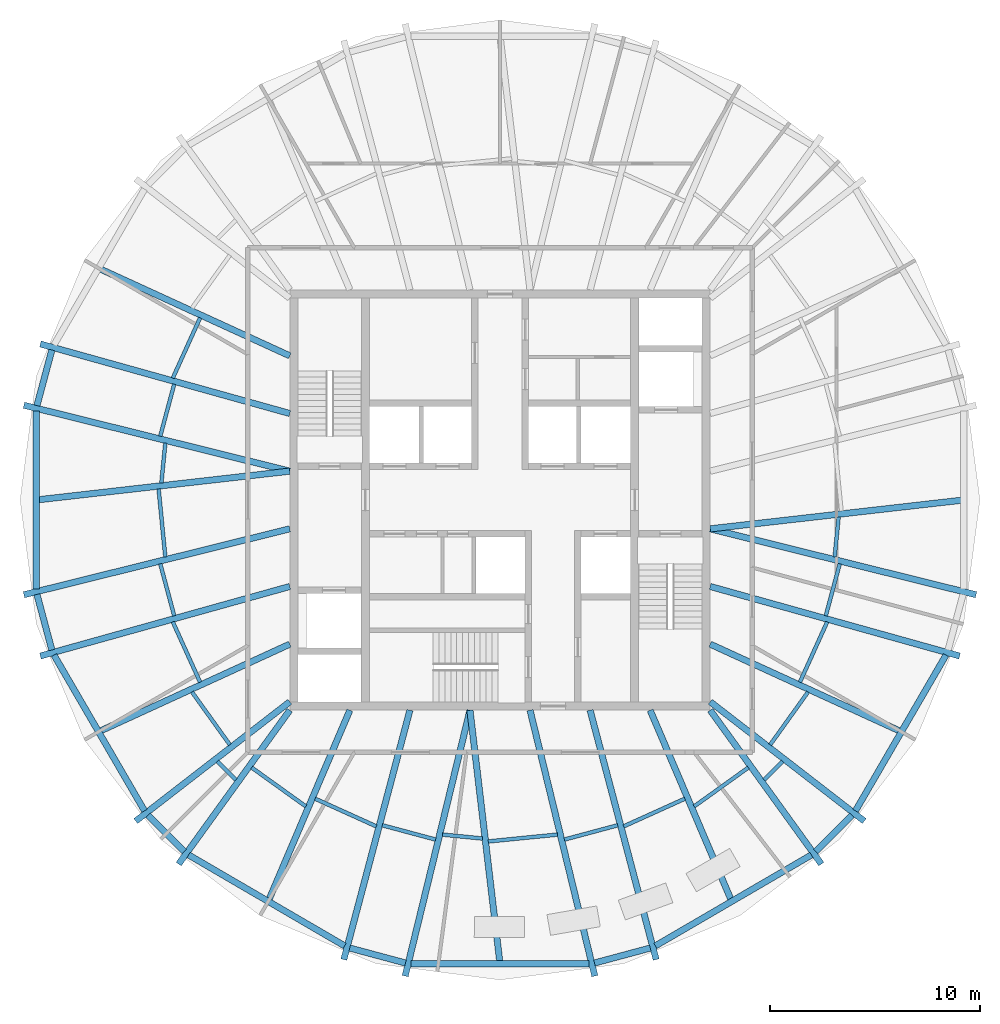
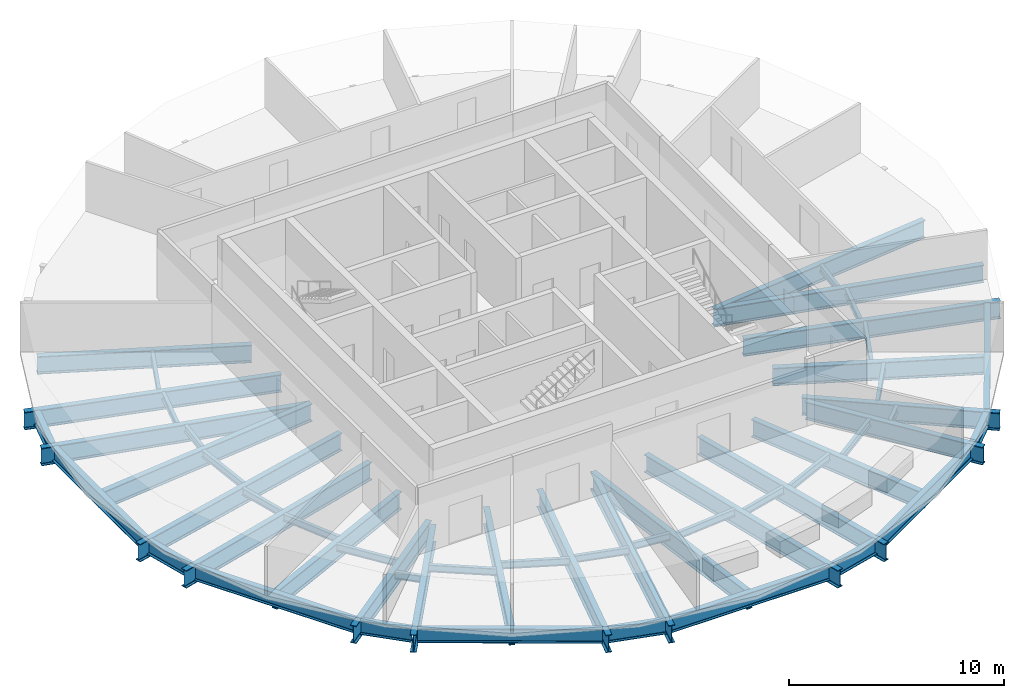
# One storey, part 1 of 7: 55 beams.
"""IFC4 building model written with IfcOpenShell, lengths in metres."""

from ifc_helpers import new_model, si_unit, direction, frame, origin, origin_2d, place, context, subcontext, project, spatial, i_section, extrude, material, material_profile, profile_set, type_object, element, save


model = new_model("IFC4")

# Units and contexts
model_context = context("Model", 3, precision=1e-05, world=origin(), true_north=direction((0.0, 1.0)))
body_context = subcontext(model_context, "Body", "Model", "MODEL_VIEW")
ifc_project = project(units=[si_unit("LENGTHUNIT", "METRE"), si_unit("AREAUNIT", "SQUARE_METRE"), si_unit("VOLUMEUNIT", "CUBIC_METRE"), si_unit("PLANEANGLEUNIT", "RADIAN"), si_unit("MASSUNIT", "GRAM", prefix="KILO")], contexts=[model_context])

# Site, building, storey
site_placement = place(None, origin())
site = spatial("IfcSite", under=ifc_project, at=site_placement, CompositionType="ELEMENT")
building_placement = place(site_placement, origin())
building = spatial("IfcBuilding", under=site, at=building_placement, Name="Golbaran Civic Tower", CompositionType="ELEMENT")
storey_placement = place(building_placement, frame((0.0, 0.0, 236.0)))
storey = spatial("IfcBuildingStorey", under=building, at=storey_placement, Name="L57", CompositionType="ELEMENT", Elevation=236.0)

# Beams
ifc_material = material(Name="Steel S355", Category="steel")
ifc_material_profile_1 = material_profile(ifc_material, i_section(OverallWidth=0.300048828125, OverallDepth=0.800048828125, WebThickness=0.017578125, FlangeThickness=0.032958984375, FilletRadius=0.030029296875, at=origin_2d()), Name="HEB 800")
ifc_profile_set_1 = profile_set([ifc_material_profile_1], Name="Steel S355")
beam_type_1 = type_object("IfcBeamType", Name="EDGE BEAM HEB 800", PredefinedType="BEAM", material=ifc_profile_set_1)
beam_1_placement = place(storey_placement, frame((-21.31640625, 7.134521484375, -0.60009765625), z_axis=(-0.259004863531, -0.965876017234, 0.0), x_axis=(0.965876017234, -0.259004863531, 0.0)))
element("IfcBeam", 1, at=beam_1_placement, inside=storey, type_object=beam_type_1, Name="Edge beam 161.32 L57", PredefinedType="BEAM", context=body_context, shape_type="SweptSolid", body=[
    extrude(i_section(OverallWidth=0.300048828125, OverallDepth=0.800048828125, WebThickness=0.017578125, FlangeThickness=0.032958984375, FilletRadius=0.030029296875, at=origin_2d()), origin(), (0.0, 0.0, 1.0), 2.7392578125),
])
beam_2_placement = place(storey_placement, frame((-22.0595703125, 4.229248046875, -0.60009765625), z_axis=(0.0, -1.0, 0.0), x_axis=(1.0, 0.0, 0.0)))
element("IfcBeam", 2, at=beam_2_placement, inside=storey, type_object=beam_type_1, Name="Edge beam 168.68 L57", PredefinedType="BEAM", context=body_context, shape_type="SweptSolid", body=[
    extrude(i_section(OverallWidth=0.300048828125, OverallDepth=0.800048828125, WebThickness=0.017578125, FlangeThickness=0.032958984375, FilletRadius=0.030029296875, at=origin_2d()), origin(), (0.0, 0.0, 1.0), 8.45849609375),
])
beam_3_placement = place(storey_placement, frame((-22.02587890625, -4.48876953125, -0.60009765625), z_axis=(0.259004863531, -0.965876017234, 0.0), x_axis=(0.965876017234, 0.259004863531, 0.0)))
element("IfcBeam", 3, at=beam_3_placement, inside=storey, type_object=beam_type_1, Name="Edge beam 191.32 L57", PredefinedType="BEAM", context=body_context, shape_type="SweptSolid", body=[
    extrude(i_section(OverallWidth=0.300048828125, OverallDepth=0.800048828125, WebThickness=0.017578125, FlangeThickness=0.032958984375, FilletRadius=0.030029296875, at=origin_2d()), origin(), (0.0, 0.0, 1.0), 2.7392578125),
])
beam_4_placement = place(storey_placement, frame((-21.21533203125, -7.376220703125, -0.60009765625), z_axis=(0.502501116031, -0.864576560165, 0.0), x_axis=(0.864576560165, 0.502501116031, 0.0)))
element("IfcBeam", 4, at=beam_4_placement, inside=storey, type_object=beam_type_1, Name="Edge beam 198.68 L57", PredefinedType="BEAM", context=body_context, shape_type="SweptSolid", body=[
    extrude(i_section(OverallWidth=0.300048828125, OverallDepth=0.800048828125, WebThickness=0.017578125, FlangeThickness=0.032958984375, FilletRadius=0.030029296875, at=origin_2d()), origin(), (0.0, 0.0, 1.0), 8.5693359375),
])
beam_5_placement = place(storey_placement, frame((-16.750732421875, -14.9912109375, -0.60009765625), z_axis=(0.706508805371, -0.707704251742, 0.0), x_axis=(0.707704251742, 0.706508805371, 0.0)))
element("IfcBeam", 5, at=beam_5_placement, inside=storey, type_object=beam_type_1, Name="Edge beam 221.32 L57", PredefinedType="BEAM", context=body_context, shape_type="SweptSolid", body=[
    extrude(i_section(OverallWidth=0.300048828125, OverallDepth=0.800048828125, WebThickness=0.017578125, FlangeThickness=0.032958984375, FilletRadius=0.030029296875, at=origin_2d()), origin(), (0.0, 0.0, 1.0), 2.45068359375),
])
beam_6_placement = place(storey_placement, frame((-14.813232421875, -16.884521484375, -0.60009765625), z_axis=(0.86400452686, -0.503484039037, 0.0), x_axis=(0.503484039037, 0.86400452686, 0.0)))
element("IfcBeam", 6, at=beam_6_placement, inside=storey, type_object=beam_type_1, Name="Edge beam 228.68 L57", PredefinedType="BEAM", context=body_context, shape_type="SweptSolid", body=[
    extrude(i_section(OverallWidth=0.300048828125, OverallDepth=0.800048828125, WebThickness=0.017578125, FlangeThickness=0.032958984375, FilletRadius=0.030029296875, at=origin_2d()), origin(), (0.0, 0.0, 1.0), 8.591552734375),
])
beam_7_placement = place(storey_placement, frame((-7.148193359375, -21.311767578125, -0.60009765625), z_axis=(0.965769072115, -0.259403352611, 0.0), x_axis=(0.259403352611, 0.965769072115, 0.0)))
element("IfcBeam", 7, at=beam_7_placement, inside=storey, type_object=beam_type_1, Name="Edge beam 251.32 L57", PredefinedType="BEAM", context=body_context, shape_type="SweptSolid", body=[
    extrude(i_section(OverallWidth=0.300048828125, OverallDepth=0.800048828125, WebThickness=0.017578125, FlangeThickness=0.032958984375, FilletRadius=0.030029296875, at=origin_2d()), origin(), (0.0, 0.0, 1.0), 2.7490234375),
])
beam_8_placement = place(storey_placement, frame((-4.23388671875, -22.058837890625, -0.60009765625), z_axis=(1.0, 0.0, 0.0), x_axis=(0.0, 1.0, 0.0)))
element("IfcBeam", 8, at=beam_8_placement, inside=storey, type_object=beam_type_1, Name="Edge beam 258.68 L57", PredefinedType="BEAM", context=body_context, shape_type="SweptSolid", body=[
    extrude(i_section(OverallWidth=0.300048828125, OverallDepth=0.800048828125, WebThickness=0.017578125, FlangeThickness=0.032958984375, FilletRadius=0.030029296875, at=origin_2d()), origin(), (0.0, 0.0, 1.0), 8.4677734375),
])
beam_9_placement = place(storey_placement, frame((4.4931640625, -22.02490234375, -0.60009765625), z_axis=(0.965769072115, 0.259403352611, 0.0), x_axis=(-0.259403352611, 0.965769072115, 0.0)))
element("IfcBeam", 9, at=beam_9_placement, inside=storey, type_object=beam_type_1, Name="Edge beam 281.32 L57", PredefinedType="BEAM", context=body_context, shape_type="SweptSolid", body=[
    extrude(i_section(OverallWidth=0.300048828125, OverallDepth=0.800048828125, WebThickness=0.017578125, FlangeThickness=0.032958984375, FilletRadius=0.030029296875, at=origin_2d()), origin(), (0.0, 0.0, 1.0), 2.7490234375),
])
beam_10_placement = place(storey_placement, frame((7.39013671875, -21.210205078125, -0.60009765625), z_axis=(0.86400452686, 0.503484039037, 0.0), x_axis=(-0.503484039037, 0.86400452686, 0.0)))
element("IfcBeam", 10, at=beam_10_placement, inside=storey, type_object=beam_type_1, Name="Edge beam 288.68 L57", PredefinedType="BEAM", context=body_context, shape_type="SweptSolid", body=[
    extrude(i_section(OverallWidth=0.300048828125, OverallDepth=0.800048828125, WebThickness=0.017578125, FlangeThickness=0.032958984375, FilletRadius=0.030029296875, at=origin_2d()), origin(), (0.0, 0.0, 1.0), 8.591552734375),
])
beam_11_placement = place(storey_placement, frame((15.019287109375, -16.7255859375, -0.60009765625), z_axis=(0.706508805371, 0.707704251742, 0.0), x_axis=(-0.707704251742, 0.706508805371, 0.0)))
element("IfcBeam", 11, at=beam_11_placement, inside=storey, type_object=beam_type_1, Name="Edge beam 311.32 L57", PredefinedType="BEAM", context=body_context, shape_type="SweptSolid", body=[
    extrude(i_section(OverallWidth=0.300048828125, OverallDepth=0.800048828125, WebThickness=0.017578125, FlangeThickness=0.032958984375, FilletRadius=0.030029296875, at=origin_2d()), origin(), (0.0, 0.0, 1.0), 2.45068359375),
])
beam_12_placement = place(storey_placement, frame((16.9091796875, -14.78515625, -0.60009765625), z_axis=(0.502501116031, 0.864576560165, 0.0), x_axis=(-0.864576560165, 0.502501116031, 0.0)))
element("IfcBeam", 12, at=beam_12_placement, inside=storey, type_object=beam_type_1, Name="Edge beam 318.68 L57", PredefinedType="BEAM", context=body_context, shape_type="SweptSolid", body=[
    extrude(i_section(OverallWidth=0.300048828125, OverallDepth=0.800048828125, WebThickness=0.017578125, FlangeThickness=0.032958984375, FilletRadius=0.030029296875, at=origin_2d()), origin(), (0.0, 0.0, 1.0), 8.5693359375),
])
ifc_material_profile_2 = material_profile(ifc_material, i_section(OverallWidth=0.179931640625, OverallDepth=0.39990234375, WebThickness=0.008544921875, FlangeThickness=0.013427734375, FilletRadius=0.02099609375, at=origin_2d()), Name="IPE 400")
ifc_profile_set_2 = profile_set([ifc_material_profile_2], Name="Steel S355")
beam_type_2 = type_object("IfcBeamType", Name="FLOOR INFILL BEAM IPE 400", PredefinedType="BEAM", material=ifc_profile_set_2)
beam_13_placement = place(storey_placement, frame((-14.2646484375, 8.668212890625, -0.39990234375), z_axis=(-0.412195460371, -0.911095440911, 0.0), x_axis=(0.911095440911, -0.412195460371, 0.0)))
element("IfcBeam", 13, at=beam_13_placement, inside=storey, type_object=beam_type_2, Name="Infill beam 155.66 L57", PredefinedType="BEAM", context=body_context, shape_type="SweptSolid", body=[
    extrude(i_section(OverallWidth=0.179931640625, OverallDepth=0.39990234375, WebThickness=0.008544921875, FlangeThickness=0.013427734375, FilletRadius=0.02099609375, at=origin_2d()), origin(), (0.0, 0.0, 1.0), 3.14794921875),
])
beam_14_placement = place(storey_placement, frame((-15.496337890625, 5.51171875, -0.39990234375), z_axis=(-0.258847075576, -0.96591831511, 0.0), x_axis=(0.96591831511, -0.258847075576, 0.0)))
element("IfcBeam", 14, at=beam_14_placement, inside=storey, type_object=beam_type_2, Name="Infill beam 165.00 L57", PredefinedType="BEAM", context=body_context, shape_type="SweptSolid", body=[
    extrude(i_section(OverallWidth=0.179931640625, OverallDepth=0.39990234375, WebThickness=0.008544921875, FlangeThickness=0.013427734375, FilletRadius=0.02099609375, at=origin_2d()), origin(), (0.0, 0.0, 1.0), 2.5654296875),
])
beam_15_placement = place(storey_placement, frame((-15.919189453125, 2.705810546875, -0.39990234375), z_axis=(-0.098565797871, -0.995130535905, 0.0), x_axis=(0.995130535905, -0.098565797871, 0.0)))
element("IfcBeam", 15, at=beam_15_placement, inside=storey, type_object=beam_type_2, Name="Infill beam 174.34 L57", PredefinedType="BEAM", context=body_context, shape_type="SweptSolid", body=[
    extrude(i_section(OverallWidth=0.179931640625, OverallDepth=0.39990234375, WebThickness=0.008544921875, FlangeThickness=0.013427734375, FilletRadius=0.02099609375, at=origin_2d()), origin(), (0.0, 0.0, 1.0), 1.9072265625),
])
beam_16_placement = place(storey_placement, frame((-16.23974609375, 0.531005859375, -0.39990234375), z_axis=(0.098552431126, -0.995131859765, 0.0), x_axis=(0.995131859765, 0.098552431126, 0.0)))
element("IfcBeam", 16, at=beam_16_placement, inside=storey, type_object=beam_type_2, Name="Infill beam 185.66 L57", PredefinedType="BEAM", context=body_context, shape_type="SweptSolid", body=[
    extrude(i_section(OverallWidth=0.179931640625, OverallDepth=0.39990234375, WebThickness=0.008544921875, FlangeThickness=0.013427734375, FilletRadius=0.02099609375, at=origin_2d()), origin(), (0.0, 0.0, 1.0), 3.252685546875),
])
beam_17_placement = place(storey_placement, frame((-16.160400390625, -3.03369140625, -0.39990234375), z_axis=(0.258847075576, -0.96591831511, 0.0), x_axis=(0.96591831511, 0.258847075576, 0.0)))
element("IfcBeam", 17, at=beam_17_placement, inside=storey, type_object=beam_type_2, Name="Infill beam 195.00 L57", PredefinedType="BEAM", context=body_context, shape_type="SweptSolid", body=[
    extrude(i_section(OverallWidth=0.179931640625, OverallDepth=0.39990234375, WebThickness=0.008544921875, FlangeThickness=0.013427734375, FilletRadius=0.02099609375, at=origin_2d()), origin(), (0.0, 0.0, 1.0), 2.5654296875),
])
beam_18_placement = place(storey_placement, frame((-15.562255859375, -5.800048828125, -0.39990234375), z_axis=(0.412195460371, -0.911095440911, 0.0), x_axis=(0.911095440911, 0.412195460371, 0.0)))
element("IfcBeam", 18, at=beam_18_placement, inside=storey, type_object=beam_type_2, Name="Infill beam 204.34 L57", PredefinedType="BEAM", context=body_context, shape_type="SweptSolid", body=[
    extrude(i_section(OverallWidth=0.179931640625, OverallDepth=0.39990234375, WebThickness=0.008544921875, FlangeThickness=0.013427734375, FilletRadius=0.02099609375, at=origin_2d()), origin(), (0.0, 0.0, 1.0), 3.14794921875),
])
beam_19_placement = place(storey_placement, frame((-14.65283203125, -9.132080078125, -0.39990234375), z_axis=(0.582940756708, -0.812514660895, 0.0), x_axis=(0.812514660895, 0.582940756708, 0.0)))
element("IfcBeam", 19, at=beam_19_placement, inside=storey, type_object=beam_type_2, Name="Infill beam 215.66 L57", PredefinedType="BEAM", context=body_context, shape_type="SweptSolid", body=[
    extrude(i_section(OverallWidth=0.179931640625, OverallDepth=0.39990234375, WebThickness=0.008544921875, FlangeThickness=0.013427734375, FilletRadius=0.02099609375, at=origin_2d()), origin(), (0.0, 0.0, 1.0), 3.09033203125),
])
beam_20_placement = place(storey_placement, frame((-13.442138671875, -12.429443359375, -0.39990234375), z_axis=(0.707009390267, -0.707204158694, 0.0), x_axis=(0.707204158694, 0.707009390267, 0.0)))
element("IfcBeam", 20, at=beam_20_placement, inside=storey, type_object=beam_type_2, Name="Infill beam 225.00 L57", PredefinedType="BEAM", context=body_context, shape_type="SweptSolid", body=[
    extrude(i_section(OverallWidth=0.179931640625, OverallDepth=0.39990234375, WebThickness=0.008544921875, FlangeThickness=0.013427734375, FilletRadius=0.02099609375, at=origin_2d()), origin(), (0.0, 0.0, 1.0), 1.25341796875),
])
beam_21_placement = place(storey_placement, frame((-11.810546875, -12.728271484375, -0.39990234375), z_axis=(0.812518412295, -0.582935527895, 0.0), x_axis=(0.582935527895, 0.812518412295, 0.0)))
element("IfcBeam", 21, at=beam_21_placement, inside=storey, type_object=beam_type_2, Name="Infill beam 234.34 L57", PredefinedType="BEAM", context=body_context, shape_type="SweptSolid", body=[
    extrude(i_section(OverallWidth=0.179931640625, OverallDepth=0.39990234375, WebThickness=0.008544921875, FlangeThickness=0.013427734375, FilletRadius=0.02099609375, at=origin_2d()), origin(), (0.0, 0.0, 1.0), 3.16796875),
])
beam_22_placement = place(storey_placement, frame((-8.796875, -14.206787109375, -0.39990234375), z_axis=(0.911131134925, -0.412116555078, 0.0), x_axis=(0.412116555078, 0.911131134925, 0.0)))
element("IfcBeam", 22, at=beam_22_placement, inside=storey, type_object=beam_type_2, Name="Infill beam 245.66 L57", PredefinedType="BEAM", context=body_context, shape_type="SweptSolid", body=[
    extrude(i_section(OverallWidth=0.179931640625, OverallDepth=0.39990234375, WebThickness=0.008544921875, FlangeThickness=0.013427734375, FilletRadius=0.02099609375, at=origin_2d()), origin(), (0.0, 0.0, 1.0), 3.197265625),
])
beam_23_placement = place(storey_placement, frame((-5.60107421875, -15.47216796875, -0.39990234375), z_axis=(0.965918200718, -0.258847502443, 0.0), x_axis=(0.258847502443, 0.965918200718, 0.0)))
element("IfcBeam", 23, at=beam_23_placement, inside=storey, type_object=beam_type_2, Name="Infill beam 255.00 L57", PredefinedType="BEAM", context=body_context, shape_type="SweptSolid", body=[
    extrude(i_section(OverallWidth=0.179931640625, OverallDepth=0.39990234375, WebThickness=0.008544921875, FlangeThickness=0.013427734375, FilletRadius=0.02099609375, at=origin_2d()), origin(), (0.0, 0.0, 1.0), 2.628662109375),
])
beam_24_placement = place(storey_placement, frame((-2.736572265625, -15.91552734375, -0.39990234375), z_axis=(0.99512917425, -0.098579544308, 0.0), x_axis=(0.098579544308, 0.99512917425, 0.0)))
element("IfcBeam", 24, at=beam_24_placement, inside=storey, type_object=beam_type_2, Name="Infill beam 264.34 L57", PredefinedType="BEAM", context=body_context, shape_type="SweptSolid", body=[
    extrude(i_section(OverallWidth=0.179931640625, OverallDepth=0.39990234375, WebThickness=0.008544921875, FlangeThickness=0.013427734375, FilletRadius=0.02099609375, at=origin_2d()), origin(), (0.0, 0.0, 1.0), 1.909423828125),
])
beam_25_placement = place(storey_placement, frame((-0.55810546875, -16.241943359375, -0.39990234375), z_axis=(0.99512803468, 0.09859104723, 0.0), x_axis=(-0.09859104723, 0.99512803468, 0.0)))
element("IfcBeam", 25, at=beam_25_placement, inside=storey, type_object=beam_type_2, Name="Infill beam 275.66 L57", PredefinedType="BEAM", context=body_context, shape_type="SweptSolid", body=[
    extrude(i_section(OverallWidth=0.179931640625, OverallDepth=0.39990234375, WebThickness=0.008544921875, FlangeThickness=0.013427734375, FilletRadius=0.02099609375, at=origin_2d()), origin(), (0.0, 0.0, 1.0), 3.310791015625),
])
beam_26_placement = place(storey_placement, frame((3.06201171875, -16.152587890625, -0.39990234375), z_axis=(0.965918200718, 0.258847502443, 0.0), x_axis=(-0.258847502443, 0.965918200718, 0.0)))
element("IfcBeam", 26, at=beam_26_placement, inside=storey, type_object=beam_type_2, Name="Infill beam 285.00 L57", PredefinedType="BEAM", context=body_context, shape_type="SweptSolid", body=[
    extrude(i_section(OverallWidth=0.179931640625, OverallDepth=0.39990234375, WebThickness=0.008544921875, FlangeThickness=0.013427734375, FilletRadius=0.02099609375, at=origin_2d()), origin(), (0.0, 0.0, 1.0), 2.628662109375),
])
beam_27_placement = place(storey_placement, frame((5.8837890625, -15.5244140625, -0.39990234375), z_axis=(0.911131134925, 0.412116555078, 0.0), x_axis=(-0.412116555078, 0.911131134925, 0.0)))
element("IfcBeam", 27, at=beam_27_placement, inside=storey, type_object=beam_type_2, Name="Infill beam 294.34 L57", PredefinedType="BEAM", context=body_context, shape_type="SweptSolid", body=[
    extrude(i_section(OverallWidth=0.179931640625, OverallDepth=0.39990234375, WebThickness=0.008544921875, FlangeThickness=0.013427734375, FilletRadius=0.02099609375, at=origin_2d()), origin(), (0.0, 0.0, 1.0), 3.197265625),
])
beam_28_placement = place(storey_placement, frame((9.236572265625, -14.574951171875, -0.39990234375), z_axis=(0.812518412295, 0.582935527895, 0.0), x_axis=(-0.582935527895, 0.812518412295, 0.0)))
element("IfcBeam", 28, at=beam_28_placement, inside=storey, type_object=beam_type_2, Name="Infill beam 305.66 L57", PredefinedType="BEAM", context=body_context, shape_type="SweptSolid", body=[
    extrude(i_section(OverallWidth=0.179931640625, OverallDepth=0.39990234375, WebThickness=0.008544921875, FlangeThickness=0.013427734375, FilletRadius=0.02099609375, at=origin_2d()), origin(), (0.0, 0.0, 1.0), 3.16796875),
])
beam_29_placement = place(storey_placement, frame((12.555908203125, -13.31591796875, -0.39990234375), z_axis=(0.707009390267, 0.707204158694, 0.0), x_axis=(-0.707204158694, 0.707009390267, 0.0)))
element("IfcBeam", 29, at=beam_29_placement, inside=storey, type_object=beam_type_2, Name="Infill beam 315.00 L57", PredefinedType="BEAM", context=body_context, shape_type="SweptSolid", body=[
    extrude(i_section(OverallWidth=0.179931640625, OverallDepth=0.39990234375, WebThickness=0.008544921875, FlangeThickness=0.013427734375, FilletRadius=0.02099609375, at=origin_2d()), origin(), (0.0, 0.0, 1.0), 1.25341796875),
])
beam_30_placement = place(storey_placement, frame((12.851318359375, -11.64306640625, -0.39990234375), z_axis=(0.582940756708, 0.812514660895, 0.0), x_axis=(-0.812514660895, 0.582940756708, 0.0)))
element("IfcBeam", 30, at=beam_30_placement, inside=storey, type_object=beam_type_2, Name="Infill beam 324.34 L57", PredefinedType="BEAM", context=body_context, shape_type="SweptSolid", body=[
    extrude(i_section(OverallWidth=0.179931640625, OverallDepth=0.39990234375, WebThickness=0.008544921875, FlangeThickness=0.013427734375, FilletRadius=0.02099609375, at=origin_2d()), origin(), (0.0, 0.0, 1.0), 3.09033203125),
])
beam_31_placement = place(storey_placement, frame((14.2646484375, -8.668212890625, -0.39990234375), z_axis=(0.412195460371, 0.911095440911, 0.0), x_axis=(-0.911095440911, 0.412195460371, 0.0)))
element("IfcBeam", 31, at=beam_31_placement, inside=storey, type_object=beam_type_2, Name="Infill beam 335.66 L57", PredefinedType="BEAM", context=body_context, shape_type="SweptSolid", body=[
    extrude(i_section(OverallWidth=0.179931640625, OverallDepth=0.39990234375, WebThickness=0.008544921875, FlangeThickness=0.013427734375, FilletRadius=0.02099609375, at=origin_2d()), origin(), (0.0, 0.0, 1.0), 3.14794921875),
])
beam_32_placement = place(storey_placement, frame((15.496337890625, -5.51171875, -0.39990234375), z_axis=(0.258847075576, 0.96591831511, 0.0), x_axis=(-0.96591831511, 0.258847075576, 0.0)))
element("IfcBeam", 32, at=beam_32_placement, inside=storey, type_object=beam_type_2, Name="Infill beam 345.00 L57", PredefinedType="BEAM", context=body_context, shape_type="SweptSolid", body=[
    extrude(i_section(OverallWidth=0.179931640625, OverallDepth=0.39990234375, WebThickness=0.008544921875, FlangeThickness=0.013427734375, FilletRadius=0.02099609375, at=origin_2d()), origin(), (0.0, 0.0, 1.0), 2.5654296875),
])
beam_33_placement = place(storey_placement, frame((15.919189453125, -2.705810546875, -0.39990234375), z_axis=(0.098565797871, 0.995130535905, 0.0), x_axis=(-0.995130535905, 0.098565797871, 0.0)))
element("IfcBeam", 33, at=beam_33_placement, inside=storey, type_object=beam_type_2, Name="Infill beam 354.34 L57", PredefinedType="BEAM", context=body_context, shape_type="SweptSolid", body=[
    extrude(i_section(OverallWidth=0.179931640625, OverallDepth=0.39990234375, WebThickness=0.008544921875, FlangeThickness=0.013427734375, FilletRadius=0.02099609375, at=origin_2d()), origin(), (0.0, 0.0, 1.0), 1.9072265625),
])
ifc_material_profile_3 = material_profile(ifc_material, i_section(OverallWidth=0.300048828125, OverallDepth=1.0, WebThickness=0.01904296875, FlangeThickness=0.035888671875, FilletRadius=0.030029296875, at=origin_2d()), Name="HEB 1000")
ifc_profile_set_3 = profile_set([ifc_material_profile_3], Name="Steel S355")
beam_type_3 = type_object("IfcBeamType", Name="RADIAL FLOOR BEAM HEB 1000", PredefinedType="BEAM", material=ifc_profile_set_3)
beam_34_placement = place(storey_placement, frame((-10.0, 4.1142578125, -0.7099609375), z_axis=(-0.963260136117, 0.268570121511, 0.0), x_axis=(-0.268570121511, -0.963260136117, 0.0)))
element("IfcBeam", 34, at=beam_34_placement, inside=storey, type_object=beam_type_3, Name="Radial beam 161.32 L57", PredefinedType="BEAM", context=body_context, shape_type="SweptSolid", body=[
    extrude(i_section(OverallWidth=0.300048828125, OverallDepth=1.0, WebThickness=0.01904296875, FlangeThickness=0.035888671875, FilletRadius=0.030029296875, at=origin_2d()), origin(), (0.0, 0.0, 1.0), 12.314697265625),
])
for number, where, z_axis, x_axis, name in (
    (35, (-10.0, 1.371337890625, -0.7099609375), (-0.970575285271, 0.240797872957, 0.0), (-0.240797872957, -0.970575285271, 0.0), "Radial beam 168.68 L57"),
    (36, (-10.0, -1.371337890625, -0.7099609375), (-0.970575285271, -0.240797872957, 0.0), (0.240797872957, -0.970575285271, 0.0), "Radial beam 191.32 L57"),
):
    element("IfcBeam", number, at=place(storey_placement, frame(where, z_axis=z_axis, x_axis=x_axis)), inside=storey, type_object=beam_type_3, Name=name, PredefinedType="BEAM", context=body_context, shape_type="SweptSolid", body=[
        extrude(i_section(OverallWidth=0.300048828125, OverallDepth=1.0, WebThickness=0.01904296875, FlangeThickness=0.035888671875, FilletRadius=0.030029296875, at=origin_2d()), origin(), (0.0, 0.0, 1.0), 13.02734375),
    ])
beam_35_placement = place(storey_placement, frame((-10.0, -4.1142578125, -0.7099609375), z_axis=(-0.963260136117, -0.268570121511, 0.0), x_axis=(0.268570121511, -0.963260136117, 0.0)))
element("IfcBeam", 37, at=beam_35_placement, inside=storey, type_object=beam_type_3, Name="Radial beam 198.68 L57", PredefinedType="BEAM", context=body_context, shape_type="SweptSolid", body=[
    extrude(i_section(OverallWidth=0.300048828125, OverallDepth=1.0, WebThickness=0.01904296875, FlangeThickness=0.035888671875, FilletRadius=0.030029296875, at=origin_2d()), origin(), (0.0, 0.0, 1.0), 12.314697265625),
])
beam_36_placement = place(storey_placement, frame((-10.0, -9.60009765625, -0.7099609375), z_axis=(-0.790713832323, -0.612185948363, 0.0), x_axis=(0.612185948363, -0.790713832323, 0.0)))
element("IfcBeam", 38, at=beam_36_placement, inside=storey, type_object=beam_type_3, Name="Radial beam 221.32 L57", PredefinedType="BEAM", context=body_context, shape_type="SweptSolid", body=[
    extrude(i_section(OverallWidth=0.300048828125, OverallDepth=1.0, WebThickness=0.01904296875, FlangeThickness=0.035888671875, FilletRadius=0.030029296875, at=origin_2d()), origin(), (0.0, 0.0, 1.0), 9.264892578125),
])
beam_37_placement = place(storey_placement, frame((-10.0, -10.0, -0.7099609375), z_axis=(-0.585610040221, -0.810592919283, 0.0), x_axis=(0.810592919283, -0.585610040221, 0.0)))
element("IfcBeam", 39, at=beam_37_placement, inside=storey, type_object=beam_type_3, Name="Radial beam 228.68 L57", PredefinedType="BEAM", context=body_context, shape_type="SweptSolid", body=[
    extrude(i_section(OverallWidth=0.300048828125, OverallDepth=1.0, WebThickness=0.01904296875, FlangeThickness=0.035888671875, FilletRadius=0.030029296875, at=origin_2d()), origin(), (0.0, 0.0, 1.0), 9.0263671875),
])
beam_38_placement = place(storey_placement, frame((-4.28564453125, -10.0, -0.7099609375), z_axis=(-0.256109150152, -0.966647869293, 0.0), x_axis=(0.966647869293, -0.256109150152, 0.0)))
element("IfcBeam", 40, at=beam_38_placement, inside=storey, type_object=beam_type_3, Name="Radial beam 251.32 L57", PredefinedType="BEAM", context=body_context, shape_type="SweptSolid", body=[
    extrude(i_section(OverallWidth=0.300048828125, OverallDepth=1.0, WebThickness=0.01904296875, FlangeThickness=0.035888671875, FilletRadius=0.030029296875, at=origin_2d()), origin(), (0.0, 0.0, 1.0), 12.2685546875),
])
for number, where, z_axis, x_axis, name in (
    (41, (-1.428466796875, -10.0, -0.7099609375), (-0.236806319308, -0.971556877973, 0.0), (0.971556877973, -0.236806319308, 0.0), "Radial beam 258.68 L57"),
    (42, (1.428466796875, -10.0, -0.7099609375), (0.236806319308, -0.971556877973, 0.0), (0.971556877973, 0.236806319308, 0.0), "Radial beam 281.32 L57"),
):
    element("IfcBeam", number, at=place(storey_placement, frame(where, z_axis=z_axis, x_axis=x_axis)), inside=storey, type_object=beam_type_3, Name=name, PredefinedType="BEAM", context=body_context, shape_type="SweptSolid", body=[
        extrude(i_section(OverallWidth=0.300048828125, OverallDepth=1.0, WebThickness=0.01904296875, FlangeThickness=0.035888671875, FilletRadius=0.030029296875, at=origin_2d()), origin(), (0.0, 0.0, 1.0), 13.013916015625),
    ])
beam_39_placement = place(storey_placement, frame((4.28564453125, -10.0, -0.7099609375), z_axis=(0.256109150152, -0.966647869293, 0.0), x_axis=(0.966647869293, 0.256109150152, 0.0)))
element("IfcBeam", 43, at=beam_39_placement, inside=storey, type_object=beam_type_3, Name="Radial beam 288.68 L57", PredefinedType="BEAM", context=body_context, shape_type="SweptSolid", body=[
    extrude(i_section(OverallWidth=0.300048828125, OverallDepth=1.0, WebThickness=0.01904296875, FlangeThickness=0.035888671875, FilletRadius=0.030029296875, at=origin_2d()), origin(), (0.0, 0.0, 1.0), 12.2685546875),
])
beam_40_placement = place(storey_placement, frame((10.0, -10.0, -0.7099609375), z_axis=(0.585610040221, -0.810592919283, 0.0), x_axis=(0.810592919283, 0.585610040221, 0.0)))
element("IfcBeam", 44, at=beam_40_placement, inside=storey, type_object=beam_type_3, Name="Radial beam 311.32 L57", PredefinedType="BEAM", context=body_context, shape_type="SweptSolid", body=[
    extrude(i_section(OverallWidth=0.300048828125, OverallDepth=1.0, WebThickness=0.01904296875, FlangeThickness=0.035888671875, FilletRadius=0.030029296875, at=origin_2d()), origin(), (0.0, 0.0, 1.0), 9.0263671875),
])
beam_41_placement = place(storey_placement, frame((10.0, -9.60009765625, -0.7099609375), z_axis=(0.790713832323, -0.612185948363, 0.0), x_axis=(0.612185948363, 0.790713832323, 0.0)))
element("IfcBeam", 45, at=beam_41_placement, inside=storey, type_object=beam_type_3, Name="Radial beam 318.68 L57", PredefinedType="BEAM", context=body_context, shape_type="SweptSolid", body=[
    extrude(i_section(OverallWidth=0.300048828125, OverallDepth=1.0, WebThickness=0.01904296875, FlangeThickness=0.035888671875, FilletRadius=0.030029296875, at=origin_2d()), origin(), (0.0, 0.0, 1.0), 9.264892578125),
])
beam_42_placement = place(storey_placement, frame((10.0, -4.1142578125, -0.7099609375), z_axis=(0.963260136117, -0.268570121511, 0.0), x_axis=(0.268570121511, 0.963260136117, 0.0)))
element("IfcBeam", 46, at=beam_42_placement, inside=storey, type_object=beam_type_3, Name="Radial beam 341.32 L57", PredefinedType="BEAM", context=body_context, shape_type="SweptSolid", body=[
    extrude(i_section(OverallWidth=0.300048828125, OverallDepth=1.0, WebThickness=0.01904296875, FlangeThickness=0.035888671875, FilletRadius=0.030029296875, at=origin_2d()), origin(), (0.0, 0.0, 1.0), 12.314697265625),
])
beam_43_placement = place(storey_placement, frame((10.0, -1.371337890625, -0.7099609375), z_axis=(0.970575285271, -0.240797872957, 0.0), x_axis=(0.240797872957, 0.970575285271, 0.0)))
element("IfcBeam", 47, at=beam_43_placement, inside=storey, type_object=beam_type_3, Name="Radial beam 348.68 L57", PredefinedType="BEAM", context=body_context, shape_type="SweptSolid", body=[
    extrude(i_section(OverallWidth=0.300048828125, OverallDepth=1.0, WebThickness=0.01904296875, FlangeThickness=0.035888671875, FilletRadius=0.030029296875, at=origin_2d()), origin(), (0.0, 0.0, 1.0), 13.02734375),
])
ifc_material_profile_4 = material_profile(ifc_material, i_section(OverallWidth=0.300048828125, OverallDepth=1.0, WebThickness=0.01904296875, FlangeThickness=0.035888671875, FilletRadius=0.030029296875, at=origin_2d()), Name="HEB 1000")
ifc_profile_set_4 = profile_set([ifc_material_profile_4], Name="Steel S355")
beam_type_4 = type_object("IfcBeamType", Name="SECONDARY FLOOR BEAM HEB 1000", PredefinedType="BEAM", material=ifc_profile_set_4)
beam_44_placement = place(storey_placement, frame((10.0, -1.371337890625, -0.7099609375), z_axis=(0.993596635612, 0.112985511018, 0.0), x_axis=(-0.112985511018, 0.993596635612, 0.0)))
element("IfcBeam", 48, at=beam_44_placement, inside=storey, type_object=beam_type_4, Name="Secondary beam 0.00 L57", PredefinedType="BEAM", context=body_context, shape_type="SweptSolid", body=[
    extrude(i_section(OverallWidth=0.300048828125, OverallDepth=1.0, WebThickness=0.01904296875, FlangeThickness=0.035888671875, FilletRadius=0.030029296875, at=origin_2d()), origin(), (0.0, 0.0, 1.0), 12.13720703125),
])
beam_45_placement = place(storey_placement, frame((-10.0, 6.857177734375, -0.7099609375), z_axis=(-0.909113729213, 0.416547989261, 0.0), x_axis=(-0.416547989261, -0.909113729213, 0.0)))
element("IfcBeam", 49, at=beam_45_placement, inside=storey, type_object=beam_type_4, Name="Secondary beam 150.00 L57", PredefinedType="BEAM", context=body_context, shape_type="SweptSolid", body=[
    extrude(i_section(OverallWidth=0.300048828125, OverallDepth=1.0, WebThickness=0.01904296875, FlangeThickness=0.035888671875, FilletRadius=0.030029296875, at=origin_2d()), origin(), (0.0, 0.0, 1.0), 10.004150390625),
])
beam_46_placement = place(storey_placement, frame((-10.0, 1.371337890625, -0.7099609375), z_axis=(-0.993596635612, -0.112985511018, 0.0), x_axis=(0.112985511018, -0.993596635612, 0.0)))
element("IfcBeam", 50, at=beam_46_placement, inside=storey, type_object=beam_type_4, Name="Secondary beam 180.00 L57", PredefinedType="BEAM", context=body_context, shape_type="SweptSolid", body=[
    extrude(i_section(OverallWidth=0.300048828125, OverallDepth=1.0, WebThickness=0.01904296875, FlangeThickness=0.035888671875, FilletRadius=0.030029296875, at=origin_2d()), origin(), (0.0, 0.0, 1.0), 12.13720703125),
])
beam_47_placement = place(storey_placement, frame((-10.0, -6.857177734375, -0.7099609375), z_axis=(-0.909113729213, -0.416547989261, 0.0), x_axis=(0.416547989261, -0.909113729213, 0.0)))
element("IfcBeam", 51, at=beam_47_placement, inside=storey, type_object=beam_type_4, Name="Secondary beam 210.00 L57", PredefinedType="BEAM", context=body_context, shape_type="SweptSolid", body=[
    extrude(i_section(OverallWidth=0.300048828125, OverallDepth=1.0, WebThickness=0.01904296875, FlangeThickness=0.035888671875, FilletRadius=0.030029296875, at=origin_2d()), origin(), (0.0, 0.0, 1.0), 10.004150390625),
])
beam_48_placement = place(storey_placement, frame((-7.142822265625, -10.0, -0.7099609375), z_axis=(-0.392518070499, -0.919744292905, 0.0), x_axis=(0.919744292905, -0.392518070499, 0.0)))
element("IfcBeam", 52, at=beam_48_placement, inside=storey, type_object=beam_type_4, Name="Secondary beam 240.00 L57", PredefinedType="BEAM", context=body_context, shape_type="SweptSolid", body=[
    extrude(i_section(OverallWidth=0.300048828125, OverallDepth=1.0, WebThickness=0.01904296875, FlangeThickness=0.035888671875, FilletRadius=0.030029296875, at=origin_2d()), origin(), (0.0, 0.0, 1.0), 9.886474609375),
])
beam_49_placement = place(storey_placement, frame((-1.428466796875, -10.0, -0.7099609375), z_axis=(0.117635606302, -0.993056828248, 0.0), x_axis=(0.993056828248, 0.117635606302, 0.0)))
element("IfcBeam", 53, at=beam_49_placement, inside=storey, type_object=beam_type_4, Name="Secondary beam 270.00 L57", PredefinedType="BEAM", context=body_context, shape_type="SweptSolid", body=[
    extrude(i_section(OverallWidth=0.300048828125, OverallDepth=1.0, WebThickness=0.01904296875, FlangeThickness=0.035888671875, FilletRadius=0.030029296875, at=origin_2d()), origin(), (0.0, 0.0, 1.0), 12.14306640625),
])
beam_50_placement = place(storey_placement, frame((7.142822265625, -10.0, -0.7099609375), z_axis=(0.392518070499, -0.919744292905, 0.0), x_axis=(0.919744292905, 0.392518070499, 0.0)))
element("IfcBeam", 54, at=beam_50_placement, inside=storey, type_object=beam_type_4, Name="Secondary beam 300.00 L57", PredefinedType="BEAM", context=body_context, shape_type="SweptSolid", body=[
    extrude(i_section(OverallWidth=0.300048828125, OverallDepth=1.0, WebThickness=0.01904296875, FlangeThickness=0.035888671875, FilletRadius=0.030029296875, at=origin_2d()), origin(), (0.0, 0.0, 1.0), 9.886474609375),
])
beam_51_placement = place(storey_placement, frame((10.0, -6.857177734375, -0.7099609375), z_axis=(0.909113729213, -0.416547989261, 0.0), x_axis=(0.416547989261, 0.909113729213, 0.0)))
element("IfcBeam", 55, at=beam_51_placement, inside=storey, type_object=beam_type_4, Name="Secondary beam 330.00 L57", PredefinedType="BEAM", context=body_context, shape_type="SweptSolid", body=[
    extrude(i_section(OverallWidth=0.300048828125, OverallDepth=1.0, WebThickness=0.01904296875, FlangeThickness=0.035888671875, FilletRadius=0.030029296875, at=origin_2d()), origin(), (0.0, 0.0, 1.0), 10.004150390625),
])

save(model, "model.ifc")
